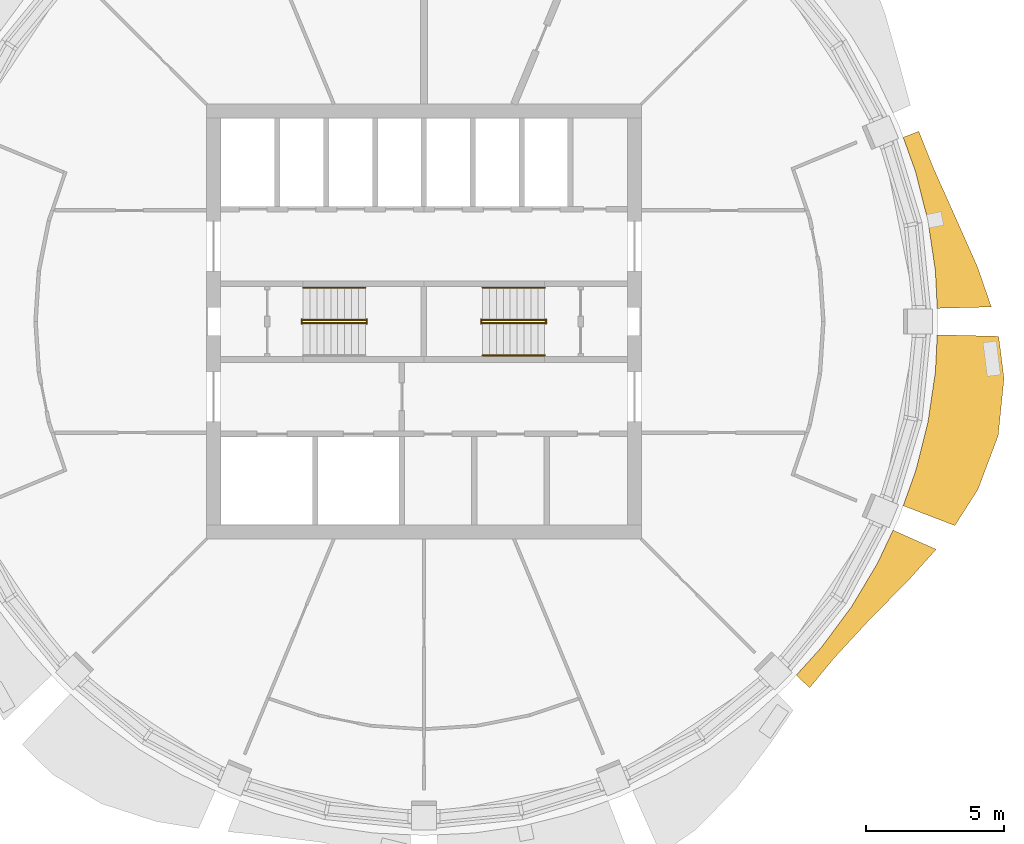
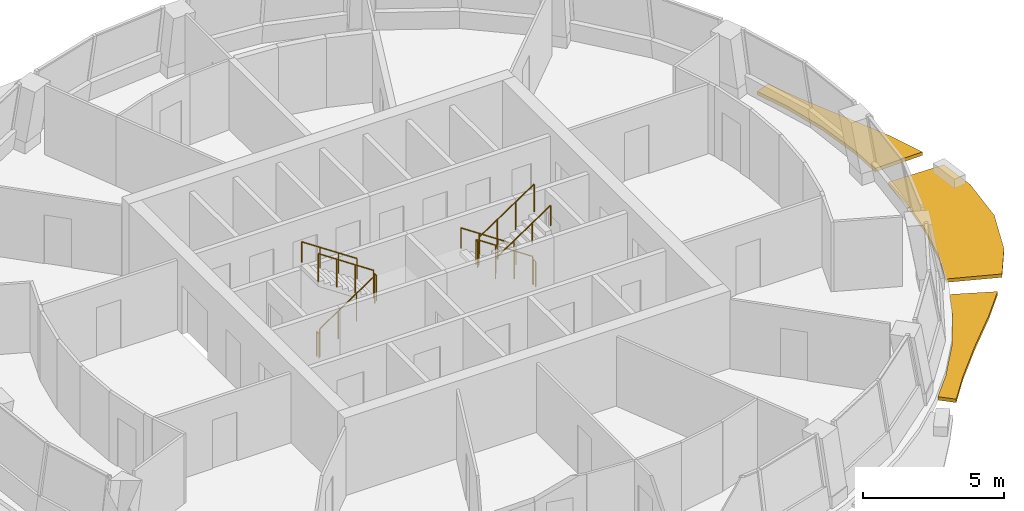
# One storey, part 9 of 11: 11 railings, 3 shading devices.
"""IFC4 building model written with IfcOpenShell, lengths in metres."""

from ifc_helpers import new_model, si_unit, direction, frame, origin, origin_2d, place, context, subcontext, project, spatial, polyline, circle, outline, extrude, material, type_object, element, save


model = new_model("IFC4")

# Units and contexts
model_context = context("Model", 3, precision=1e-05, world=origin(), true_north=direction((0.0, 1.0)))
body_context = subcontext(model_context, "Body", "Model", "MODEL_VIEW")
ifc_project = project(units=[si_unit("LENGTHUNIT", "METRE"), si_unit("AREAUNIT", "SQUARE_METRE"), si_unit("VOLUMEUNIT", "CUBIC_METRE"), si_unit("PLANEANGLEUNIT", "RADIAN"), si_unit("MASSUNIT", "GRAM", prefix="KILO")], contexts=[model_context])

# Site, building, storey
site_placement = place(None, origin())
site = spatial("IfcSite", under=ifc_project, at=site_placement, CompositionType="ELEMENT")
building_placement = place(site_placement, origin())
building = spatial("IfcBuilding", under=site, at=building_placement, Name="Polderwave Tower", CompositionType="ELEMENT")
storey_placement = place(building_placement, frame((0.0, 0.0, 184.300048828125)))
storey = spatial("IfcBuildingStorey", under=building, at=storey_placement, Name="L49", CompositionType="ELEMENT", Elevation=184.300048828125)

# Railings
ifc_material_1 = material(Name="Stainless steel", Category="steel")
railing_type_1 = type_object("IfcRailingType", Name="Stair guard 1100", PredefinedType="GUARDRAIL", material=ifc_material_1)
railing_1_placement = place(storey_placement, frame((-4.3740234375, -0.051025390625, 0.04736328125)))
element("IfcRailing", 1, at=railing_1_placement, inside=storey, type_object=railing_type_1, Name="L49 ST-A stair guard 1", PredefinedType="GUARDRAIL", context=body_context, shape_type="SweptSolid", body=[
    extrude(circle(Radius=0.02392578125, at=origin_2d()), frame((0.0, 0.0, 1.1962890625), z_axis=(0.830758306289, 0.0, 0.556633305266), x_axis=(0.0, 1.0, 0.0)), (0.0, 0.0, 1.0), 2.708251953125),
    extrude(circle(Radius=0.02392578125, at=origin_2d()), origin(), (0.0, 0.0, 1.0), 1.172119140625),
    extrude(circle(Radius=0.02392578125, at=origin_2d()), frame((0.75, 0.0, 0.50244140625)), (0.0, 0.0, 1.0), 1.172119140625),
    extrude(circle(Radius=0.02392578125, at=origin_2d()), frame((1.5, 0.0, 1.005126953125)), (0.0, 0.0, 1.0), 1.172119140625),
    extrude(circle(Radius=0.02392578125, at=origin_2d()), frame((2.25, 0.0, 1.507568359375)), (0.0, 0.0, 1.0), 1.172119140625),
])
railing_2_placement = place(storey_placement, frame((-2.073974609375, -0.074951171875, 1.675048828125)))
element("IfcRailing", 2, at=railing_2_placement, inside=storey, type_object=railing_type_1, Name="L49 ST-A stair guard 2", PredefinedType="GUARDRAIL", context=body_context, shape_type="SweptSolid", body=[
    extrude(circle(Radius=0.02392578125, at=origin_2d()), frame((0.0, 0.0, 1.076171875), z_axis=(0.0, 1.0, 0.0), x_axis=(-1.0, 0.0, 0.0)), (0.0, 0.0, 1.0), 0.14990234375),
    extrude(circle(Radius=0.02099609375, at=origin_2d()), origin(), (0.0, 0.0, 1.0), 1.052001953125),
    extrude(circle(Radius=0.02099609375, at=origin_2d()), frame((0.0, 0.14990234375, 0.0)), (0.0, 0.0, 1.0), 1.052001953125),
])
railing_3_placement = place(storey_placement, frame((-2.1240234375, 0.051025390625, 1.722412109375)))
element("IfcRailing", 3, at=railing_3_placement, inside=storey, type_object=railing_type_1, Name="L49 ST-A stair guard 3", PredefinedType="GUARDRAIL", context=body_context, shape_type="SweptSolid", body=[
    extrude(circle(Radius=0.02392578125, at=origin_2d()), frame((0.0, 0.0, 1.1962890625), z_axis=(-0.830799990696, 0.0, 0.556571087517), x_axis=(0.0, -1.0, 0.0)), (0.0, 0.0, 1.0), 2.708251953125),
    extrude(circle(Radius=0.02392578125, at=origin_2d()), origin(), (0.0, 0.0, 1.0), 1.172119140625),
    extrude(circle(Radius=0.02392578125, at=origin_2d()), frame((-0.75, 0.0, 0.50244140625)), (0.0, 0.0, 1.0), 1.172119140625),
    extrude(circle(Radius=0.02392578125, at=origin_2d()), frame((-1.5, 0.0, 1.0048828125)), (0.0, 0.0, 1.0), 1.172119140625),
    extrude(circle(Radius=0.02392578125, at=origin_2d()), frame((-2.25, 0.0, 1.50732421875)), (0.0, 0.0, 1.0), 1.172119140625),
])
railing_4_placement = place(storey_placement, frame((-4.424072265625, -0.074951171875, 0.0)))
element("IfcRailing", 4, at=railing_4_placement, inside=storey, type_object=railing_type_1, Name="L49 ST-A stair guard 4", PredefinedType="GUARDRAIL", context=body_context, shape_type="SweptSolid", body=[
    extrude(circle(Radius=0.02392578125, at=origin_2d()), frame((0.0, 0.0, 1.076171875), z_axis=(0.0, 1.0, 0.0), x_axis=(-1.0, 0.0, 0.0)), (0.0, 0.0, 1.0), 0.14990234375),
    extrude(circle(Radius=0.02099609375, at=origin_2d()), origin(), (0.0, 0.0, 1.0), 1.052001953125),
    extrude(circle(Radius=0.02099609375, at=origin_2d()), frame((0.0, 0.14990234375, 0.0)), (0.0, 0.0, 1.0), 1.052001953125),
])
railing_5_placement = place(storey_placement, frame((4.3740234375, 0.051025390625, 0.04736328125)))
element("IfcRailing", 5, at=railing_5_placement, inside=storey, type_object=railing_type_1, Name="L49 ST-B stair guard 1", PredefinedType="GUARDRAIL", context=body_context, shape_type="SweptSolid", body=[
    extrude(circle(Radius=0.02392578125, at=origin_2d()), frame((0.0, 0.0, 1.1962890625), z_axis=(-0.830758306289, 0.0, 0.556633305266), x_axis=(0.0, -1.0, 0.0)), (0.0, 0.0, 1.0), 2.708251953125),
    extrude(circle(Radius=0.02392578125, at=origin_2d()), origin(), (0.0, 0.0, 1.0), 1.172119140625),
    extrude(circle(Radius=0.02392578125, at=origin_2d()), frame((-0.75, 0.0, 0.50244140625)), (0.0, 0.0, 1.0), 1.172119140625),
    extrude(circle(Radius=0.02392578125, at=origin_2d()), frame((-1.5, 0.0, 1.005126953125)), (0.0, 0.0, 1.0), 1.172119140625),
    extrude(circle(Radius=0.02392578125, at=origin_2d()), frame((-2.25, 0.0, 1.507568359375)), (0.0, 0.0, 1.0), 1.172119140625),
])
railing_6_placement = place(storey_placement, frame((2.073974609375, 0.074951171875, 1.675048828125)))
element("IfcRailing", 6, at=railing_6_placement, inside=storey, type_object=railing_type_1, Name="L49 ST-B stair guard 2", PredefinedType="GUARDRAIL", context=body_context, shape_type="SweptSolid", body=[
    extrude(circle(Radius=0.02392578125, at=origin_2d()), frame((0.0, 0.0, 1.076171875), z_axis=(0.0, -1.0, 0.0), x_axis=(1.0, 0.0, 0.0)), (0.0, 0.0, 1.0), 0.14990234375),
    extrude(circle(Radius=0.02099609375, at=origin_2d()), origin(), (0.0, 0.0, 1.0), 1.052001953125),
    extrude(circle(Radius=0.02099609375, at=origin_2d()), frame((0.0, -0.14990234375, 0.0)), (0.0, 0.0, 1.0), 1.052001953125),
])
railing_7_placement = place(storey_placement, frame((2.1240234375, -0.051025390625, 1.722412109375)))
element("IfcRailing", 7, at=railing_7_placement, inside=storey, type_object=railing_type_1, Name="L49 ST-B stair guard 3", PredefinedType="GUARDRAIL", context=body_context, shape_type="SweptSolid", body=[
    extrude(circle(Radius=0.02392578125, at=origin_2d()), frame((0.0, 0.0, 1.1962890625), z_axis=(0.830799990696, 0.0, 0.556571087517), x_axis=(0.0, 1.0, 0.0)), (0.0, 0.0, 1.0), 2.708251953125),
    extrude(circle(Radius=0.02392578125, at=origin_2d()), origin(), (0.0, 0.0, 1.0), 1.172119140625),
    extrude(circle(Radius=0.02392578125, at=origin_2d()), frame((0.75, 0.0, 0.50244140625)), (0.0, 0.0, 1.0), 1.172119140625),
    extrude(circle(Radius=0.02392578125, at=origin_2d()), frame((1.5, 0.0, 1.0048828125)), (0.0, 0.0, 1.0), 1.172119140625),
    extrude(circle(Radius=0.02392578125, at=origin_2d()), frame((2.25, 0.0, 1.50732421875)), (0.0, 0.0, 1.0), 1.172119140625),
])
railing_8_placement = place(storey_placement, frame((4.424072265625, 0.074951171875, 0.0)))
element("IfcRailing", 8, at=railing_8_placement, inside=storey, type_object=railing_type_1, Name="L49 ST-B stair guard 4", PredefinedType="GUARDRAIL", context=body_context, shape_type="SweptSolid", body=[
    extrude(circle(Radius=0.02392578125, at=origin_2d()), frame((0.0, 0.0, 1.076171875), z_axis=(0.0, -1.0, 0.0), x_axis=(1.0, 0.0, 0.0)), (0.0, 0.0, 1.0), 0.14990234375),
    extrude(circle(Radius=0.02099609375, at=origin_2d()), origin(), (0.0, 0.0, 1.0), 1.052001953125),
    extrude(circle(Radius=0.02099609375, at=origin_2d()), frame((0.0, -0.14990234375, 0.0)), (0.0, 0.0, 1.0), 1.052001953125),
])
railing_type_2 = type_object("IfcRailingType", Name="Stair handrail 900", PredefinedType="HANDRAIL", material=ifc_material_1)
railing_9_placement = place(storey_placement, frame((-2.1240234375, 1.22509765625, 1.842529296875)))
element("IfcRailing", 9, at=railing_9_placement, inside=storey, type_object=railing_type_2, Name="L49 ST-A stair handrail 2", PredefinedType="HANDRAIL", context=body_context, shape_type="SweptSolid", body=[
    extrude(circle(Radius=0.02392578125, at=origin_2d()), frame((0.0, 0.0, 0.8759765625), z_axis=(-0.830799990696, 0.0, 0.556571087517), x_axis=(0.0, -1.0, 0.0)), (0.0, 0.0, 1.0), 2.708251953125),
    extrude(circle(Radius=0.02099609375, at=origin_2d()), origin(), (0.0, 0.0, 1.0), 0.851806640625),
    extrude(circle(Radius=0.02099609375, at=origin_2d()), frame((-0.75, 0.0, 0.50244140625)), (0.0, 0.0, 1.0), 0.851806640625),
    extrude(circle(Radius=0.02099609375, at=origin_2d()), frame((-1.5, 0.0, 1.0048828125)), (0.0, 0.0, 1.0), 0.851806640625),
    extrude(circle(Radius=0.02099609375, at=origin_2d()), frame((-2.25, 0.0, 1.50732421875)), (0.0, 0.0, 1.0), 0.851806640625),
])
railing_10_placement = place(storey_placement, frame((4.3740234375, 1.22509765625, 0.16748046875)))
element("IfcRailing", 10, at=railing_10_placement, inside=storey, type_object=railing_type_2, Name="L49 ST-B stair handrail 1", PredefinedType="HANDRAIL", context=body_context, shape_type="SweptSolid", body=[
    extrude(circle(Radius=0.02392578125, at=origin_2d()), frame((0.0, 0.0, 0.8759765625), z_axis=(-0.830758306289, 0.0, 0.556633305266), x_axis=(0.0, -1.0, 0.0)), (0.0, 0.0, 1.0), 2.708251953125),
    extrude(circle(Radius=0.02099609375, at=origin_2d()), origin(), (0.0, 0.0, 1.0), 0.851806640625),
    extrude(circle(Radius=0.02099609375, at=origin_2d()), frame((-0.75, 0.0, 0.50244140625)), (0.0, 0.0, 1.0), 0.851806640625),
    extrude(circle(Radius=0.02099609375, at=origin_2d()), frame((-1.5, 0.0, 1.005126953125)), (0.0, 0.0, 1.0), 0.851806640625),
    extrude(circle(Radius=0.02099609375, at=origin_2d()), frame((-2.25, 0.0, 1.507568359375)), (0.0, 0.0, 1.0), 0.851806640625),
])
railing_11_placement = place(storey_placement, frame((2.1240234375, -1.22509765625, 1.842529296875)))
element("IfcRailing", 11, at=railing_11_placement, inside=storey, type_object=railing_type_2, Name="L49 ST-B stair handrail 2", PredefinedType="HANDRAIL", context=body_context, shape_type="SweptSolid", body=[
    extrude(circle(Radius=0.02392578125, at=origin_2d()), frame((0.0, 0.0, 0.8759765625), z_axis=(0.830799990696, 0.0, 0.556571087517), x_axis=(0.0, 1.0, 0.0)), (0.0, 0.0, 1.0), 2.708251953125),
    extrude(circle(Radius=0.02099609375, at=origin_2d()), origin(), (0.0, 0.0, 1.0), 0.851806640625),
    extrude(circle(Radius=0.02099609375, at=origin_2d()), frame((0.75, 0.0, 0.50244140625)), (0.0, 0.0, 1.0), 0.851806640625),
    extrude(circle(Radius=0.02099609375, at=origin_2d()), frame((1.5, 0.0, 1.0048828125)), (0.0, 0.0, 1.0), 0.851806640625),
    extrude(circle(Radius=0.02099609375, at=origin_2d()), frame((2.25, 0.0, 1.50732421875)), (0.0, 0.0, 1.0), 0.851806640625),
])

# Shading devices
ifc_material_2 = material(Name="Terracotta", Category="masonry")
shading_device_type = type_object("IfcShadingDeviceType", Name="Terracotta sunshade band", PredefinedType="USERDEFINED", material=ifc_material_2)
shading_device_1_placement = place(storey_placement, frame((0.0, 0.0, -0.35009765625)))
element("IfcShadingDevice", 12, at=shading_device_1_placement, inside=storey, type_object=shading_device_type, Name="Sunshade band L49 1", ObjectType="SUNSHADE", PredefinedType="USERDEFINED", context=body_context, shape_type="SweptSolid", body=[
    extrude(outline(polyline([(18.596435546875, 0.478759765625), (18.5302734375, 1.8251953125), (18.26220703125, 3.632568359375), (17.818115234375, 5.405029296875), (17.364013671875, 6.67431640625), (17.9296875, 6.8916015625), (18.443115234375, 5.5947265625), (19.234619140625, 3.825927734375), (20.0576171875, 1.9755859375), (20.556640625, 0.529296875), (18.596435546875, 0.478759765625)])), origin(), (0.0, 0.0, 1.0), 0.150146484375),
])
shading_device_2_placement = place(storey_placement, frame((0.0, 0.0, -0.35009765625)))
element("IfcShadingDevice", 13, at=shading_device_2_placement, inside=storey, type_object=shading_device_type, Name="Sunshade band L49 15", ObjectType="SUNSHADE", PredefinedType="USERDEFINED", context=body_context, shape_type="SweptSolid", body=[
    extrude(outline(polyline([(13.48828125, -12.81103515625), (14.3935546875, -11.8125), (15.48193359375, -10.3447265625), (16.42138671875, -8.77734375), (16.997802734375, -7.558837890625), (18.5576171875, -8.252685546875), (17.548828125, -9.380126953125), (16.152587890625, -10.792724609375), (14.85888671875, -12.1943359375), (13.97216796875, -13.270751953125), (13.48828125, -12.81103515625)])), origin(), (0.0, 0.0, 1.0), 0.150146484375),
])
shading_device_3_placement = place(storey_placement, frame((0.0, 0.0, -0.35009765625)))
element("IfcShadingDevice", 14, at=shading_device_3_placement, inside=storey, type_object=shading_device_type, Name="Sunshade band L49 16", ObjectType="SUNSHADE", PredefinedType="USERDEFINED", context=body_context, shape_type="SweptSolid", body=[
    extrude(outline(polyline([(17.364013671875, -6.67431640625), (17.818115234375, -5.405029296875), (18.26220703125, -3.632568359375), (18.5302734375, -1.8251953125), (18.596435546875, -0.478759765625), (20.822998046875, -0.5361328125), (21.01513671875, -2.06982421875), (20.803955078125, -4.13818359375), (20.06884765625, -6.087890625), (19.235107421875, -7.393310546875), (17.364013671875, -6.67431640625)])), origin(), (0.0, 0.0, 1.0), 0.150146484375),
])

save(model, "model.ifc")
